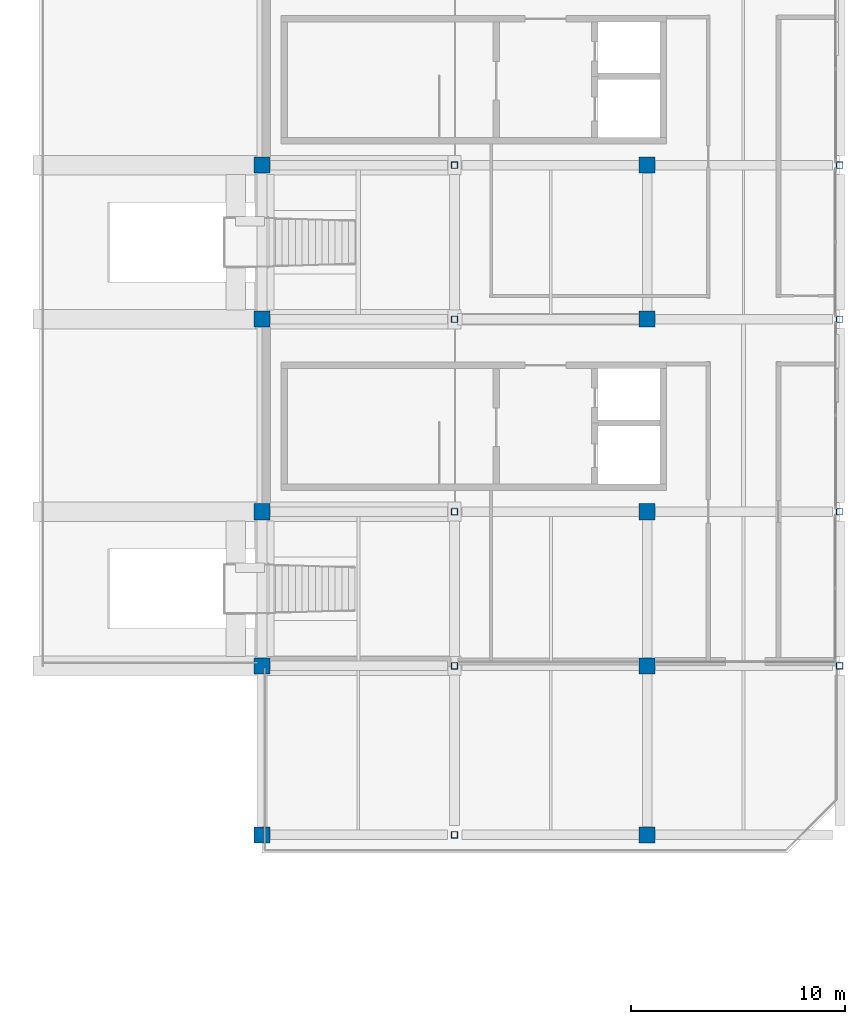
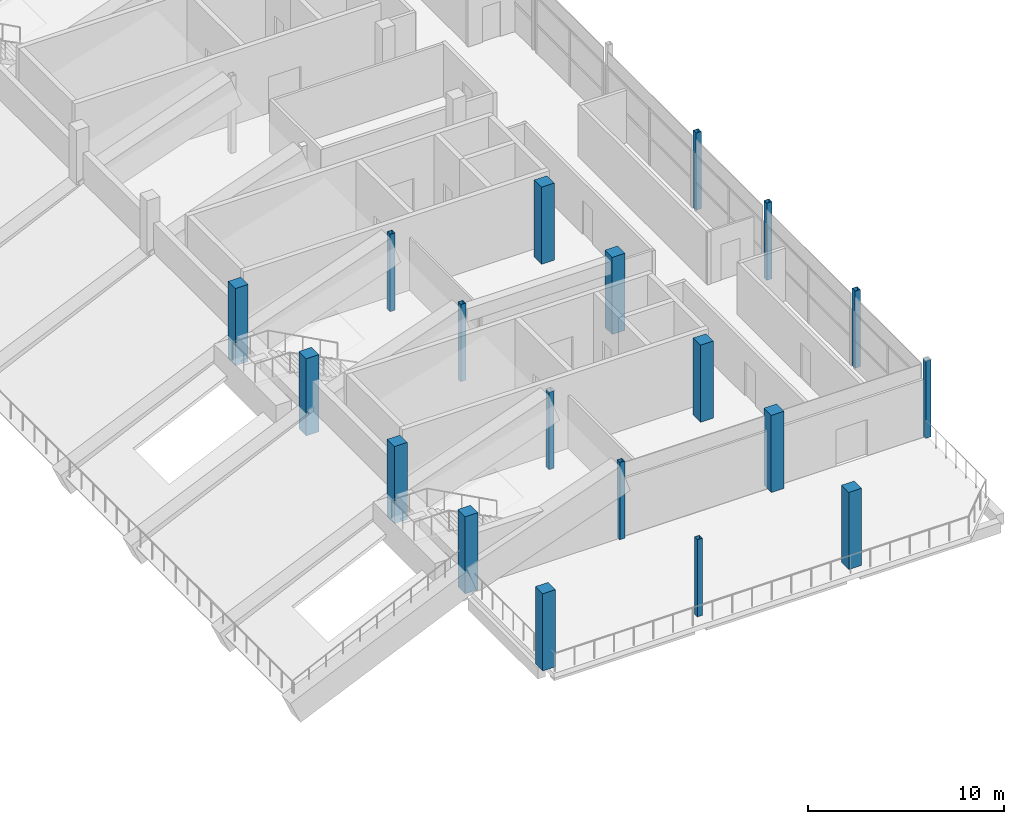
# One storey, part 10 of 66: 19 columns.
"""IFC4 building model written with IfcOpenShell, lengths in metres."""

from ifc_helpers import new_model, si_unit, direction, frame, origin, origin_2d, place, context, subcontext, project, spatial, rectangle, hollow_rectangle, extrude, material, material_profile, profile_set, type_object, element, save


model = new_model("IFC4")

# Units and contexts
model_context = context("Model", 3, precision=1e-05, world=origin(), true_north=direction((0.0, 1.0)))
body_context = subcontext(model_context, "Body", "Model", "MODEL_VIEW")
ifc_project = project(units=[si_unit("LENGTHUNIT", "METRE"), si_unit("AREAUNIT", "SQUARE_METRE"), si_unit("VOLUMEUNIT", "CUBIC_METRE"), si_unit("PLANEANGLEUNIT", "RADIAN"), si_unit("MASSUNIT", "GRAM", prefix="KILO"), si_unit("THERMODYNAMICTEMPERATUREUNIT", "KELVIN"), si_unit("POWERUNIT", "WATT")], contexts=[model_context])

# Site, building, storey
site_placement = place(None, origin())
site = spatial("IfcSite", under=ifc_project, at=site_placement, CompositionType="ELEMENT")
building_placement = place(site_placement, origin())
building = spatial("IfcBuilding", under=site, at=building_placement, Name="Sindhuravela Promenade Stadium", CompositionType="ELEMENT")
storey_placement = place(building_placement, frame((0.0, 0.0, 19.199951171875)))
storey = spatial("IfcBuildingStorey", under=building, at=storey_placement, Name="L04", CompositionType="ELEMENT", Elevation=19.199951171875)

# Columns
ifc_material_1 = material(Name="Concrete M40", Category="concrete")
ifc_material_profile_1 = material_profile(ifc_material_1, rectangle(XDim=0.75, YDim=0.75, at=origin_2d()), Name="RC 750x750")
ifc_profile_set_1 = profile_set([ifc_material_profile_1], Name="Concrete M40")
column_type_1 = type_object("IfcColumnType", Name="RC-CL-750x750", PredefinedType="COLUMN", material=ifc_profile_set_1)
for number, where, z_axis, x_axis, name in (
    (1, (180.0, 37.10009765625, 0.0), (0.0, 0.0, 1.0), (1.0, 0.0, 0.0), "Column C12 EAST L04"),
    (2, (180.0, 45.0, 0.0), (0.0, 0.0, 1.0), (1.0, 0.0, 0.0), "Column C12 EAST L04"),
    (3, (180.0, 52.199951171875, 0.0), (0.0, 0.0, 1.0), (1.0, 0.0, 0.0), "Column C12 EAST L04"),
    (4, (180.0, 61.199951171875, 0.0), (0.0, 0.0, 1.0), (1.0, 0.0, 0.0), "Column C12 EAST L04"),
    (5, (180.0, 68.39990234375, 0.0), (0.0, 0.0, 1.0), (1.0, 0.0, 0.0), "Column C12 EAST L04"),
    (6, (198.0, 37.10009765625, 0.0), (0.0, 0.0, 1.0), (1.0, 0.0, 0.0), "Column C12 EAST L04"),
    (7, (198.0, 45.0, 0.0), (0.0, 0.0, 1.0), (1.0, 0.0, 0.0), "Column C12 EAST L04"),
    (8, (198.0, 52.199951171875, 0.0), (0.0, 0.0, 1.0), (1.0, 0.0, 0.0), "Column C12 EAST L04"),
    (9, (198.0, 61.199951171875, 0.0), (0.0, 0.0, 1.0), (1.0, 0.0, 0.0), "Column C12 EAST L04"),
    (10, (198.0, 68.39990234375, 0.0), (0.0, 0.0, 1.0), (1.0, 0.0, 0.0), "Column C12 EAST L04"),
):
    element("IfcColumn", number, at=place(storey_placement, frame(where, z_axis=z_axis, x_axis=x_axis)), inside=storey, type_object=column_type_1, Name=name, PredefinedType="COLUMN", context=body_context, shape_type="SweptSolid", body=[
        extrude(rectangle(XDim=0.75, YDim=0.75, at=origin_2d()), origin(), (0.0, 0.0, 1.0), 4.800048828125),
    ])
ifc_material_2 = material(Name="Steel E350 (IS 2062 E350BR)", Category="steel")
ifc_material_profile_2 = material_profile(ifc_material_2, hollow_rectangle(XDim=0.300048828125, YDim=0.300048828125, WallThickness=0.011962890625, at=origin_2d()), Name="SHS 300x300x12")
ifc_profile_set_2 = profile_set([ifc_material_profile_2], Name="Steel E350 (IS 2062 E350BR)")
column_type_2 = type_object("IfcColumnType", Name="ST-CL-SHS300", PredefinedType="COLUMN", material=ifc_profile_set_2)
for number, where, z_axis, x_axis, name in (
    (11, (189.0, 37.10009765625, 0.0), (0.0, 0.0, 1.0), (1.0, 0.0, 0.0), "Column SC04 EAST L04"),
    (12, (189.0, 45.0, 0.0), (0.0, 0.0, 1.0), (1.0, 0.0, 0.0), "Column SC04 EAST L04"),
    (13, (189.0, 52.199951171875, 0.0), (0.0, 0.0, 1.0), (1.0, 0.0, 0.0), "Column SC04 EAST L04"),
    (14, (189.0, 61.199951171875, 0.0), (0.0, 0.0, 1.0), (1.0, 0.0, 0.0), "Column SC04 EAST L04"),
    (15, (189.0, 68.39990234375, 0.0), (0.0, 0.0, 1.0), (1.0, 0.0, 0.0), "Column SC04 EAST L04"),
    (16, (207.0, 45.0, 0.0), (0.0, 0.0, 1.0), (1.0, 0.0, 0.0), "Column SC04 EAST L04"),
    (17, (207.0, 52.199951171875, 0.0), (0.0, 0.0, 1.0), (1.0, 0.0, 0.0), "Column SC04 EAST L04"),
    (18, (207.0, 61.199951171875, 0.0), (0.0, 0.0, 1.0), (1.0, 0.0, 0.0), "Column SC04 EAST L04"),
    (19, (207.0, 68.39990234375, 0.0), (0.0, 0.0, 1.0), (1.0, 0.0, 0.0), "Column SC04 EAST L04"),
):
    element("IfcColumn", number, at=place(storey_placement, frame(where, z_axis=z_axis, x_axis=x_axis)), inside=storey, type_object=column_type_2, Name=name, PredefinedType="COLUMN", context=body_context, shape_type="SweptSolid", body=[
        extrude(hollow_rectangle(XDim=0.300048828125, YDim=0.300048828125, WallThickness=0.011962890625, at=origin_2d()), origin(), (0.0, 0.0, 1.0), 4.800048828125),
    ])

save(model, "model.ifc")
